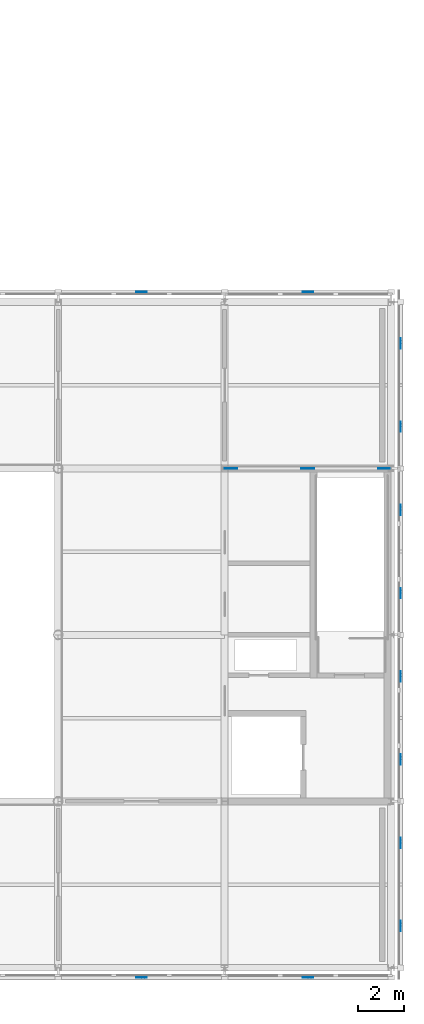
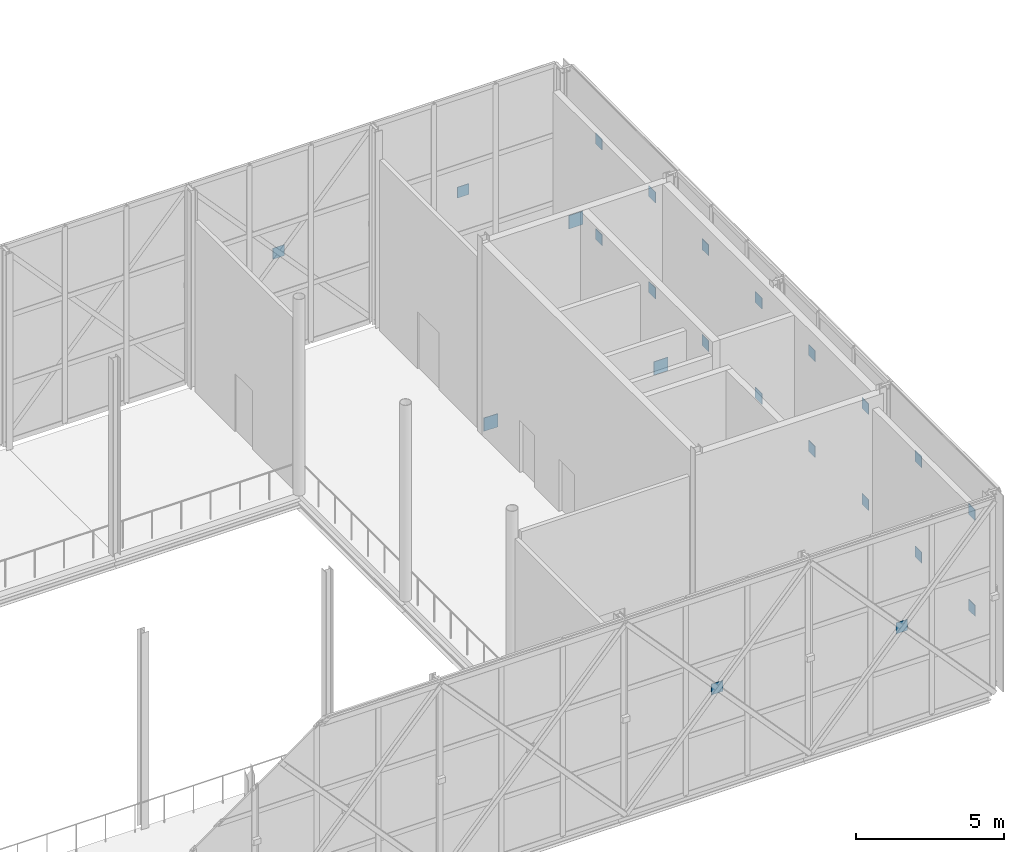
# One storey, part 62 of 76: 23 plates.
"""IFC4 building model written with IfcOpenShell, lengths in metres."""

from ifc_helpers import new_model, si_unit, direction, frame, origin, origin_2d, place, context, subcontext, project, spatial, rectangle, extrude, material, layer, layer_set, type_object, element, save


model = new_model("IFC4")

# Units and contexts
model_context = context("Model", 3, precision=1e-05, world=origin(), true_north=direction((0.0, 1.0)))
body_context = subcontext(model_context, "Body", "Model", "MODEL_VIEW")
ifc_project = project(units=[si_unit("LENGTHUNIT", "METRE"), si_unit("AREAUNIT", "SQUARE_METRE"), si_unit("VOLUMEUNIT", "CUBIC_METRE"), si_unit("PLANEANGLEUNIT", "RADIAN"), si_unit("MASSUNIT", "GRAM", prefix="KILO")], contexts=[model_context])

# Site, building, storey
site_placement = place(None, origin())
site = spatial("IfcSite", under=ifc_project, at=site_placement, CompositionType="ELEMENT")
building_placement = place(site_placement, origin())
building = spatial("IfcBuilding", under=site, at=building_placement, Name="Zlatovets Crest Museum", CompositionType="ELEMENT")
storey_placement = place(building_placement, frame((0.0, 0.0, 17.10009765625)))
storey = spatial("IfcBuildingStorey", under=building, at=storey_placement, Name="L04", CompositionType="ELEMENT", Elevation=17.10009765625)

# Plates
ifc_material = material(Name="Structural steel S355J2", Category="steel")
ifc_layer_1 = layer(ifc_material, 0.02490234375)
ifc_layer_set_1 = layer_set([ifc_layer_1], Name="Structural steel S355J2")
plate_type_1 = type_object("IfcPlateType", Name="Gusset_GP-01", PredefinedType="USERDEFINED", material=ifc_layer_set_1)
for number, where, z_axis, x_axis, name in (
    (1, (101.080078125, 21.60009765625, 0.0048828125), (0.0, 0.0, 1.0), (1.0, 0.0, 0.0), "V2 L04 Brace End Gusset Plate GP-01"),
    (2, (107.719970703125, 21.60009765625, 0.0048828125), (0.0, 0.0, 1.0), (1.0, 0.0, 0.0), "V2 L04 Brace End Gusset Plate GP-01"),
    (3, (104.39990234375, 21.60009765625, 7.19482421875), (0.0, 0.0, 1.0), (1.0, 0.0, 0.0), "V2 L04 Brace End Gusset Plate GP-01"),
):
    element("IfcPlate", number, at=place(storey_placement, frame(where, z_axis=z_axis, x_axis=x_axis)), inside=storey, type_object=plate_type_1, Name=name, ObjectType="GUSSET", PredefinedType="USERDEFINED", context=body_context, shape_type="SweptSolid", body=[
        extrude(rectangle(XDim=0.550048828125, YDim=0.02490234375, at=origin_2d()), origin(), (0.0, 0.0, 1.0), 0.550048828125),
    ])
ifc_layer_2 = layer(ifc_material, 0.02001953125)
ifc_layer_set_2 = layer_set([ifc_layer_2], Name="Structural steel S355J2")
plate_type_2 = type_object("IfcPlateType", Name="Gusset_GP-04", PredefinedType="USERDEFINED", material=ifc_layer_set_2)
for number, where, z_axis, x_axis, name in (
    (4, (97.199951171875, -0.419921875, 3.82470703125), (0.0, 0.0, 1.0), (1.0, 0.0, 0.0), "X-Brace Crossing Node Gusset Plate GP-04"),
    (5, (104.39990234375, -0.419921875, 3.82470703125), (0.0, 0.0, 1.0), (1.0, 0.0, 0.0), "X-Brace Crossing Node Gusset Plate GP-04"),
):
    element("IfcPlate", number, at=place(storey_placement, frame(where, z_axis=z_axis, x_axis=x_axis)), inside=storey, type_object=plate_type_2, Name=name, ObjectType="GUSSET", PredefinedType="USERDEFINED", context=body_context, shape_type="SweptSolid", body=[
        extrude(rectangle(XDim=0.449951171875, YDim=0.02001953125, at=origin_2d()), origin(), (0.0, 0.0, 1.0), 0.449951171875),
    ])
for number, where, z_axis, x_axis, name in (
    (6, (108.419921875, 1.800048828125, 1.85009765625), (0.0, 0.0, 1.0), (1.0, 0.0, 0.0), "X-Brace Crossing Node Gusset Plate GP-04"),
    (7, (108.419921875, 5.39990234375, 1.85009765625), (0.0, 0.0, 1.0), (1.0, 0.0, 0.0), "X-Brace Crossing Node Gusset Plate GP-04"),
    (8, (108.419921875, 1.800048828125, 5.7998046875), (0.0, 0.0, 1.0), (1.0, 0.0, 0.0), "X-Brace Crossing Node Gusset Plate GP-04"),
    (9, (108.419921875, 5.39990234375, 5.7998046875), (0.0, 0.0, 1.0), (1.0, 0.0, 0.0), "X-Brace Crossing Node Gusset Plate GP-04"),
    (10, (108.419921875, 9.0, 1.85009765625), (0.0, 0.0, 1.0), (1.0, 0.0, 0.0), "X-Brace Crossing Node Gusset Plate GP-04"),
    (11, (108.419921875, 12.60009765625, 1.85009765625), (0.0, 0.0, 1.0), (1.0, 0.0, 0.0), "X-Brace Crossing Node Gusset Plate GP-04"),
    (12, (108.419921875, 9.0, 5.7998046875), (0.0, 0.0, 1.0), (1.0, 0.0, 0.0), "X-Brace Crossing Node Gusset Plate GP-04"),
    (13, (108.419921875, 12.60009765625, 5.7998046875), (0.0, 0.0, 1.0), (1.0, 0.0, 0.0), "X-Brace Crossing Node Gusset Plate GP-04"),
    (14, (108.419921875, 16.199951171875, 1.85009765625), (0.0, 0.0, 1.0), (1.0, 0.0, 0.0), "X-Brace Crossing Node Gusset Plate GP-04"),
    (15, (108.419921875, 19.800048828125, 1.85009765625), (0.0, 0.0, 1.0), (1.0, 0.0, 0.0), "X-Brace Crossing Node Gusset Plate GP-04"),
    (16, (108.419921875, 16.199951171875, 5.7998046875), (0.0, 0.0, 1.0), (1.0, 0.0, 0.0), "X-Brace Crossing Node Gusset Plate GP-04"),
    (17, (108.419921875, 19.800048828125, 5.7998046875), (0.0, 0.0, 1.0), (1.0, 0.0, 0.0), "X-Brace Crossing Node Gusset Plate GP-04"),
    (18, (108.419921875, 23.39990234375, 1.85009765625), (0.0, 0.0, 1.0), (1.0, 0.0, 0.0), "X-Brace Crossing Node Gusset Plate GP-04"),
    (19, (108.419921875, 27.0, 1.85009765625), (0.0, 0.0, 1.0), (1.0, 0.0, 0.0), "X-Brace Crossing Node Gusset Plate GP-04"),
    (20, (108.419921875, 23.39990234375, 5.7998046875), (0.0, 0.0, 1.0), (1.0, 0.0, 0.0), "X-Brace Crossing Node Gusset Plate GP-04"),
    (21, (108.419921875, 27.0, 5.7998046875), (0.0, 0.0, 1.0), (1.0, 0.0, 0.0), "X-Brace Crossing Node Gusset Plate GP-04"),
):
    element("IfcPlate", number, at=place(storey_placement, frame(where, z_axis=z_axis, x_axis=x_axis)), inside=storey, type_object=plate_type_2, Name=name, ObjectType="GUSSET", PredefinedType="USERDEFINED", context=body_context, shape_type="SweptSolid", body=[
        extrude(rectangle(XDim=0.02001953125, YDim=0.449951171875, at=origin_2d()), origin(), (0.0, 0.0, 1.0), 0.449951171875),
    ])
for number, where, z_axis, x_axis, name in (
    (22, (104.39990234375, 29.219970703125, 3.82470703125), (0.0, 0.0, 1.0), (1.0, 0.0, 0.0), "X-Brace Crossing Node Gusset Plate GP-04"),
    (23, (97.199951171875, 29.219970703125, 3.82470703125), (0.0, 0.0, 1.0), (1.0, 0.0, 0.0), "X-Brace Crossing Node Gusset Plate GP-04"),
):
    element("IfcPlate", number, at=place(storey_placement, frame(where, z_axis=z_axis, x_axis=x_axis)), inside=storey, type_object=plate_type_2, Name=name, ObjectType="GUSSET", PredefinedType="USERDEFINED", context=body_context, shape_type="SweptSolid", body=[
        extrude(rectangle(XDim=0.449951171875, YDim=0.02001953125, at=origin_2d()), origin(), (0.0, 0.0, 1.0), 0.449951171875),
    ])

save(model, "model.ifc")
